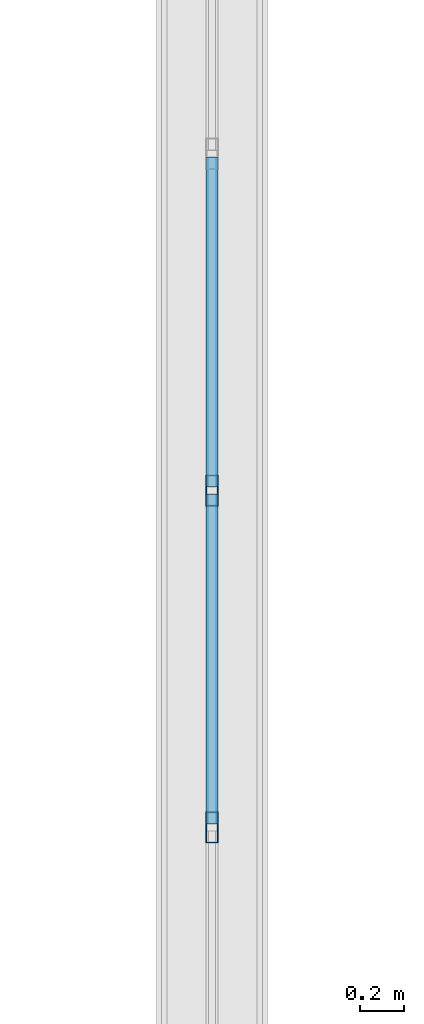
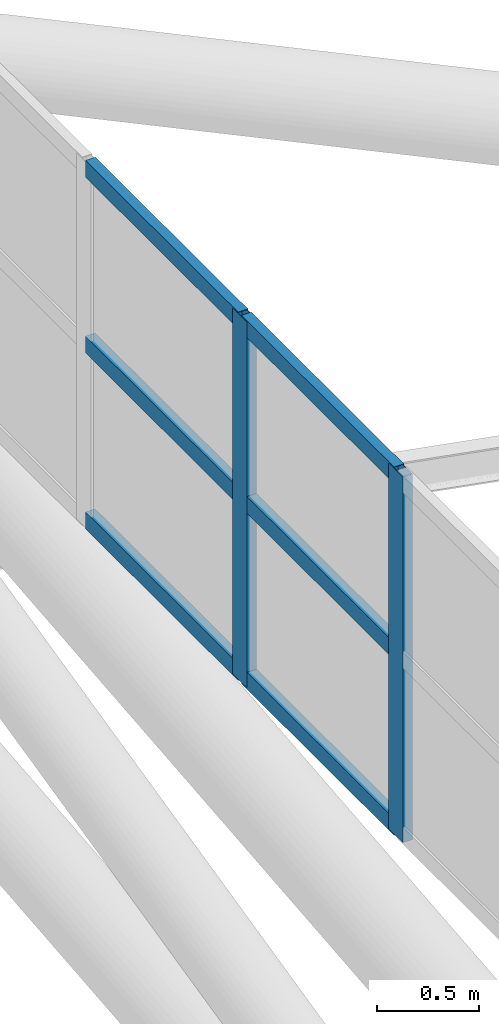
# One storey, part 137 of 397: 8 members, 1 element without a shape of its own.
"""IFC4 building model written with IfcOpenShell, lengths in metres."""

from ifc_helpers import new_model, si_unit, direction, frame, origin, origin_2d, place, context, subcontext, project, spatial, hollow_rectangle, extrude, material, material_profile, profile_set, type_object, element, aggregate, save


model = new_model("IFC4")

# Units and contexts
model_context = context("Model", 3, precision=1e-05, world=origin(), true_north=direction((0.0, 1.0)))
body_context = subcontext(model_context, "Body", "Model", "MODEL_VIEW")
ifc_project = project(units=[si_unit("LENGTHUNIT", "METRE"), si_unit("AREAUNIT", "SQUARE_METRE"), si_unit("VOLUMEUNIT", "CUBIC_METRE"), si_unit("PLANEANGLEUNIT", "RADIAN"), si_unit("MASSUNIT", "GRAM", prefix="KILO")], contexts=[model_context])

# Site, building, storey
site_placement = place(None, origin())
site = spatial("IfcSite", under=ifc_project, at=site_placement, CompositionType="ELEMENT")
building_placement = place(site_placement, origin())
building = spatial("IfcBuilding", under=site, at=building_placement, Name="Qandorah Velis Arena", CompositionType="ELEMENT")
storey_placement = place(building_placement, frame((0.0, 0.0, 27.5)))
storey = spatial("IfcBuildingStorey", under=building, at=storey_placement, Name="RF", CompositionType="ELEMENT", Elevation=27.5)

# Curtain wall, members
ifc_material_1 = material(Name="Solar-control low-E double glazing", Category="glass")
curtain_wall_type = type_object("IfcCurtainWallType", Name="ARC-CW-SYS11", PredefinedType="USERDEFINED", material=ifc_material_1)
curtain_wall_placement = place(storey_placement, origin())
curtain_wall = element("IfcCurtainWall", 1, at=curtain_wall_placement, inside=storey, type_object=curtain_wall_type, Name="Unitised curtain wall OCULUS-2-1", ObjectType="UNITISED CURTAIN WALL", PredefinedType="USERDEFINED")
ifc_material_2 = material(Name="Champagne-bronze anodized aluminium 6063-T6", Category="aluminium")
ifc_material_profile_1 = material_profile(ifc_material_2, hollow_rectangle(XDim=0.054931640625, YDim=0.139892578125, WallThickness=0.0029296875, at=origin_2d()), Name="ALU MULLION 55x140")
ifc_profile_set_1 = profile_set([ifc_material_profile_1], Name="Champagne-bronze anodized aluminium 6063-T6")
member_type_1 = type_object("IfcMemberType", Name="ARC-CWM-140", PredefinedType="MULLION", material=ifc_profile_set_1)
member_1_placement = place(storey_placement, frame((100.800048828125, 32.1943359375, 8.470947265625), z_axis=(0.0, 0.0, 1.0), x_axis=(-1.0, 0.0, 0.0)))
member_1 = element("IfcMember", 2, at=member_1_placement, type_object=member_type_1, Name="CW11 mullion 3", PredefinedType="MULLION", context=body_context, shape_type="SweptSolid", body=[
    extrude(hollow_rectangle(XDim=0.054931640625, YDim=0.139892578125, WallThickness=0.0029296875, at=origin_2d()), origin(), (0.0, 0.0, 1.0), 2.179931640625),
])
member_2_placement = place(storey_placement, frame((100.800048828125, 33.716552734375, 8.470947265625), z_axis=(0.0, 0.0, 1.0), x_axis=(-1.0, 0.0, 0.0)))
member_2 = element("IfcMember", 3, at=member_2_placement, type_object=member_type_1, Name="CW11 mullion 4", PredefinedType="MULLION", context=body_context, shape_type="SweptSolid", body=[
    extrude(hollow_rectangle(XDim=0.054931640625, YDim=0.139892578125, WallThickness=0.0029296875, at=origin_2d()), origin(), (0.0, 0.0, 1.0), 2.179931640625),
])
ifc_material_profile_2 = material_profile(ifc_material_2, hollow_rectangle(XDim=0.054931640625, YDim=0.10009765625, WallThickness=0.0029296875, at=origin_2d()), Name="ALU TRANSOM 55x100")
ifc_profile_set_2 = profile_set([ifc_material_profile_2], Name="Champagne-bronze anodized aluminium 6063-T6")
member_type_2 = type_object("IfcMemberType", Name="ARC-CWT-100", PredefinedType="USERDEFINED", material=ifc_profile_set_2)
member_3_placement = place(storey_placement, frame((100.800048828125, 32.2099609375, 8.513427734375), z_axis=(0.0, 1.0, 0.0), x_axis=(-1.0, 0.0, 0.0)))
member_3 = element("IfcMember", 4, at=member_3_placement, type_object=member_type_2, Name="CW11 transom 3.1", ObjectType="TRANSOM", PredefinedType="USERDEFINED", context=body_context, shape_type="SweptSolid", body=[
    extrude(hollow_rectangle(XDim=0.054931640625, YDim=0.10009765625, WallThickness=0.0029296875, at=origin_2d()), origin(), (0.0, 0.0, 1.0), 1.4912109375),
])
member_4_placement = place(storey_placement, frame((100.800048828125, 32.2099609375, 9.56103515625), z_axis=(0.0, 1.0, 0.0), x_axis=(-1.0, 0.0, 0.0)))
member_4 = element("IfcMember", 5, at=member_4_placement, type_object=member_type_2, Name="CW11 transom 3.2", ObjectType="TRANSOM", PredefinedType="USERDEFINED", context=body_context, shape_type="SweptSolid", body=[
    extrude(hollow_rectangle(XDim=0.054931640625, YDim=0.10009765625, WallThickness=0.0029296875, at=origin_2d()), origin(), (0.0, 0.0, 1.0), 1.4912109375),
])
member_5_placement = place(storey_placement, frame((100.800048828125, 32.2099609375, 10.6083984375), z_axis=(0.0, 1.0, 0.0), x_axis=(-1.0, 0.0, 0.0)))
member_5 = element("IfcMember", 6, at=member_5_placement, type_object=member_type_2, Name="CW11 transom 3.3", ObjectType="TRANSOM", PredefinedType="USERDEFINED", context=body_context, shape_type="SweptSolid", body=[
    extrude(hollow_rectangle(XDim=0.054931640625, YDim=0.10009765625, WallThickness=0.0029296875, at=origin_2d()), origin(), (0.0, 0.0, 1.0), 1.4912109375),
])
member_6_placement = place(storey_placement, frame((100.800048828125, 33.732177734375, 8.513427734375), z_axis=(0.0, 1.0, 0.0), x_axis=(-1.0, 0.0, 0.0)))
member_6 = element("IfcMember", 7, at=member_6_placement, type_object=member_type_2, Name="CW11 transom 4.1", ObjectType="TRANSOM", PredefinedType="USERDEFINED", context=body_context, shape_type="SweptSolid", body=[
    extrude(hollow_rectangle(XDim=0.054931640625, YDim=0.10009765625, WallThickness=0.0029296875, at=origin_2d()), origin(), (0.0, 0.0, 1.0), 1.4912109375),
])
member_7_placement = place(storey_placement, frame((100.800048828125, 33.732177734375, 9.56103515625), z_axis=(0.0, 1.0, 0.0), x_axis=(-1.0, 0.0, 0.0)))
member_7 = element("IfcMember", 8, at=member_7_placement, type_object=member_type_2, Name="CW11 transom 4.2", ObjectType="TRANSOM", PredefinedType="USERDEFINED", context=body_context, shape_type="SweptSolid", body=[
    extrude(hollow_rectangle(XDim=0.054931640625, YDim=0.10009765625, WallThickness=0.0029296875, at=origin_2d()), origin(), (0.0, 0.0, 1.0), 1.4912109375),
])
member_8_placement = place(storey_placement, frame((100.800048828125, 33.732177734375, 10.6083984375), z_axis=(0.0, 1.0, 0.0), x_axis=(-1.0, 0.0, 0.0)))
member_8 = element("IfcMember", 9, at=member_8_placement, type_object=member_type_2, Name="CW11 transom 4.3", ObjectType="TRANSOM", PredefinedType="USERDEFINED", context=body_context, shape_type="SweptSolid", body=[
    extrude(hollow_rectangle(XDim=0.054931640625, YDim=0.10009765625, WallThickness=0.0029296875, at=origin_2d()), origin(), (0.0, 0.0, 1.0), 1.4912109375),
])
aggregate(curtain_wall, [member_1, member_2, member_3, member_4, member_5, member_6, member_7, member_8])

save(model, "model.ifc")
